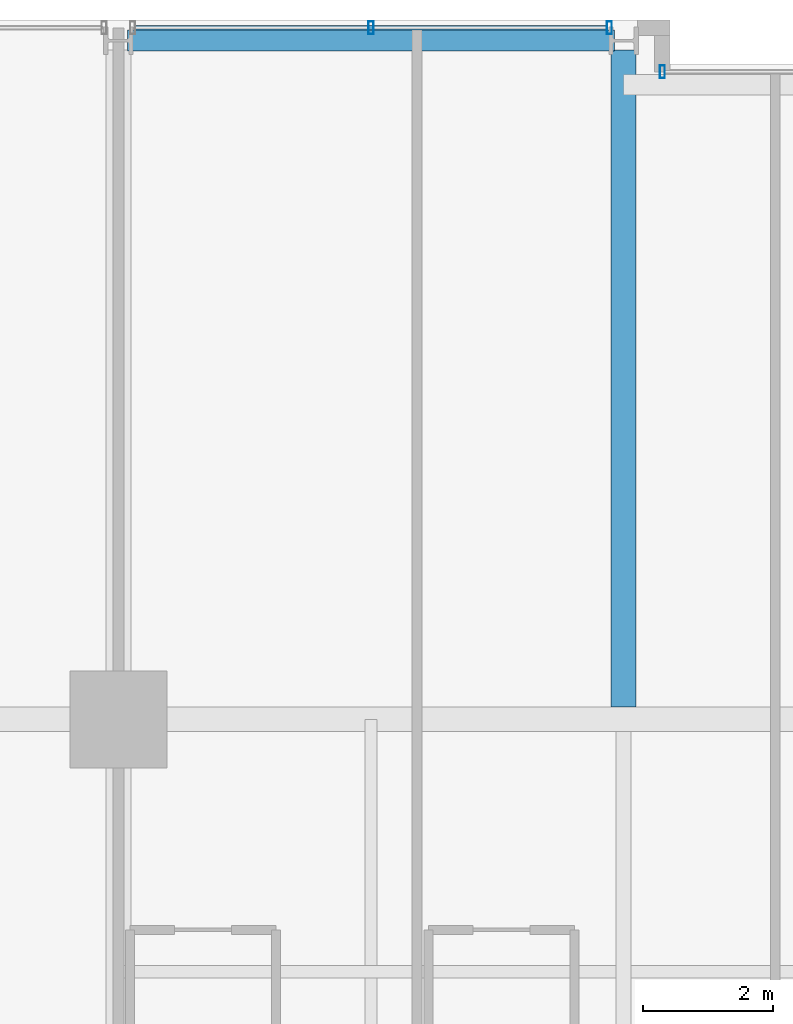
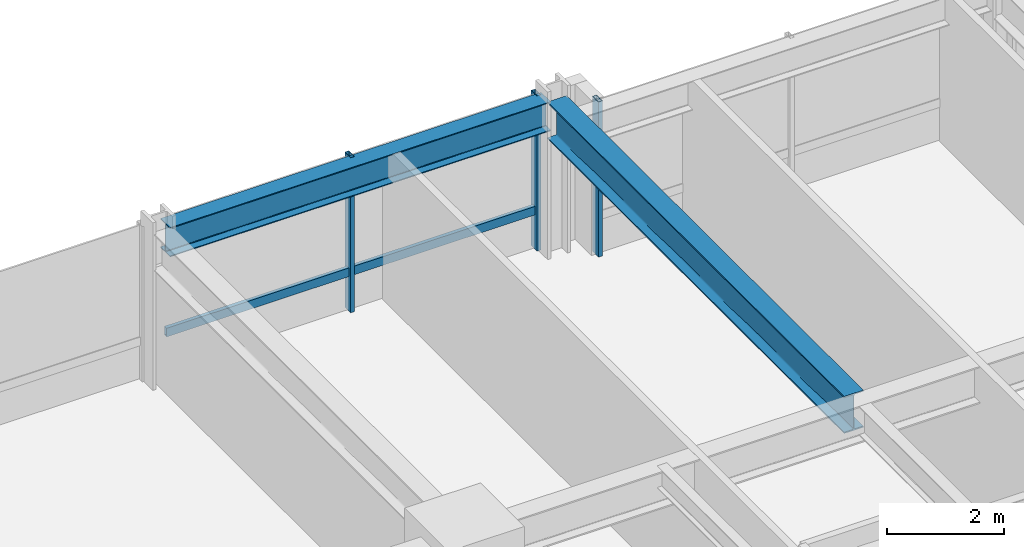
# One storey, part 21 of 35: 4 members, 2 beams, 2 elements without a shape of their own.
"""IFC4 building model written with IfcOpenShell, lengths in metres."""

from ifc_helpers import new_model, si_unit, direction, frame, origin, origin_2d, place, context, subcontext, project, spatial, hollow_rectangle, i_section, extrude, material, layer, layer_set, material_profile, profile_set, type_object, element, aggregate, save


model = new_model("IFC4")

# Units and contexts
model_context = context("Model", 3, precision=1e-05, world=origin(), true_north=direction((0.0, 1.0)))
body_context = subcontext(model_context, "Body", "Model", "MODEL_VIEW")
ifc_project = project(units=[si_unit("LENGTHUNIT", "METRE"), si_unit("AREAUNIT", "SQUARE_METRE"), si_unit("VOLUMEUNIT", "CUBIC_METRE"), si_unit("PLANEANGLEUNIT", "RADIAN"), si_unit("MASSUNIT", "GRAM", prefix="KILO")], contexts=[model_context])

# Site, building, storey
site_placement = place(None, origin())
site = spatial("IfcSite", under=ifc_project, at=site_placement, CompositionType="ELEMENT")
building_placement = place(site_placement, origin())
building = spatial("IfcBuilding", under=site, at=building_placement, Name="Drelvath Grand Hotel", CompositionType="ELEMENT")
storey_placement = place(building_placement, frame((0.0, 0.0, 98.800048828125)))
storey = spatial("IfcBuildingStorey", under=building, at=storey_placement, Name="L24", CompositionType="ELEMENT", Elevation=98.800048828125)

# Curtain wall, members
ifc_material_1 = material(Name="Champagne Bronze Anodised Aluminium Frame", Category="aluminium")
ifc_layer = layer(ifc_material_1, 0.199951171875)
ifc_layer_set = layer_set([ifc_layer], Name="Champagne Bronze Anodised Aluminium Frame")
curtain_wall_type = type_object("IfcCurtainWallType", Name="Stick Curtain Wall CW-03 Champagne Bronze Mid-Rise", PredefinedType="NOTDEFINED", material=ifc_layer_set)
curtain_wall_1_placement = place(storey_placement, origin())
curtain_wall_1 = element("IfcCurtainWall", 1, at=curtain_wall_1_placement, inside=storey, type_object=curtain_wall_type, Name="L24 CW-03 Curtain Wall CW03-L24-NW2", PredefinedType="NOTDEFINED")
ifc_material_profile_1 = material_profile(ifc_material_1, hollow_rectangle(XDim=0.074951171875, YDim=0.179931640625, WallThickness=0.0048828125, at=origin_2d()), Name="HSS180X75X5")
ifc_profile_set_1 = profile_set([ifc_material_profile_1], Name="Champagne Bronze Anodised Aluminium Frame")
member_type_1 = type_object("IfcMemberType", Name="Curtain Wall Horizontal Transom CW-03 HSS180X75X5", PredefinedType="USERDEFINED", material=ifc_profile_set_1)
member_1_placement = place(storey_placement, frame((-15.9404296875, 53.8798828125, 0.81005859375), z_axis=(1.0, 0.0, 0.0), x_axis=(0.0, 1.0, 0.0)))
member_1 = element("IfcMember", 2, at=member_1_placement, type_object=member_type_1, Name="CW03-L24-NW2 Sill Transom", ObjectType="TRANSOM", PredefinedType="USERDEFINED", context=body_context, shape_type="SweptSolid", body=[
    extrude(hollow_rectangle(XDim=0.074951171875, YDim=0.179931640625, WallThickness=0.0048828125, at=origin_2d()), origin(), (0.0, 0.0, 1.0), 7.28076171875),
])
ifc_material_profile_2 = material_profile(ifc_material_1, hollow_rectangle(XDim=0.080078125, YDim=0.199951171875, WallThickness=0.0048828125, at=origin_2d()), Name="HSS200X80X5")
ifc_profile_set_2 = profile_set([ifc_material_profile_2], Name="Champagne Bronze Anodised Aluminium Frame")
member_type_2 = type_object("IfcMemberType", Name="Curtain Wall Vertical Mullion CW-03 HSS200X80X5", PredefinedType="MULLION", material=ifc_profile_set_2)
member_2_placement = place(storey_placement, frame((-12.300048828125, 53.8798828125, 0.0), z_axis=(0.0, 0.0, 1.0), x_axis=(1.0, 0.0, 0.0)))
member_2 = element("IfcMember", 3, at=member_2_placement, type_object=member_type_2, Name="CW03-L24-NW2 Mullion 2", PredefinedType="MULLION", context=body_context, shape_type="SweptSolid", body=[
    extrude(hollow_rectangle(XDim=0.080078125, YDim=0.199951171875, WallThickness=0.0048828125, at=origin_2d()), origin(), (0.0, 0.0, 1.0), 3.239990234375),
])
member_3_placement = place(storey_placement, frame((-8.61962890625, 53.8798828125, 0.0), z_axis=(0.0, 0.0, 1.0), x_axis=(1.0, 0.0, 0.0)))
member_3 = element("IfcMember", 4, at=member_3_placement, type_object=member_type_2, Name="CW03-L24-NW2 Mullion 3", PredefinedType="MULLION", context=body_context, shape_type="SweptSolid", body=[
    extrude(hollow_rectangle(XDim=0.080078125, YDim=0.199951171875, WallThickness=0.0048828125, at=origin_2d()), origin(), (0.0, 0.0, 1.0), 3.239990234375),
])
aggregate(curtain_wall_1, [member_2, member_3, member_1])

# Curtain wall, member
curtain_wall_2_placement = place(storey_placement, origin())
curtain_wall_2 = element("IfcCurtainWall", 5, at=curtain_wall_2_placement, inside=storey, type_object=curtain_wall_type, Name="L24 CW-03 Curtain Wall CW03-L24-NM1", PredefinedType="NOTDEFINED")
member_4_placement = place(storey_placement, frame((-7.800048828125, 53.199951171875, 0.0), z_axis=(0.0, 0.0, 1.0), x_axis=(1.0, 0.0, 0.0)))
member_4 = element("IfcMember", 6, at=member_4_placement, type_object=member_type_2, Name="CW03-L24-NM1 Mullion 1", PredefinedType="MULLION", context=body_context, shape_type="SweptSolid", body=[
    extrude(hollow_rectangle(XDim=0.080078125, YDim=0.199951171875, WallThickness=0.0048828125, at=origin_2d()), origin(), (0.0, 0.0, 1.0), 3.239990234375),
])
aggregate(curtain_wall_2, [member_4])

# Beams
ifc_material_2 = material(Name="Steel ASTM A992 Gr 50", Category="steel")
ifc_material_profile_3 = material_profile(ifc_material_2, i_section(OverallWidth=0.323974609375, OverallDepth=0.611083984375, WebThickness=0.0126953125, FlangeThickness=0.01904296875, FilletRadius=0.02197265625, at=origin_2d()), Name="W24X104")
ifc_profile_set_3 = profile_set([ifc_material_profile_3], Name="Steel ASTM A992 Gr 50")
beam_type_1 = type_object("IfcBeamType", Name="Perimeter Spandrel Beam W24X104", PredefinedType="SPANDREL", material=ifc_profile_set_3)
beam_1_placement = place(storey_placement, frame((-16.06005859375, 53.679931640625, 2.9345703125), z_axis=(1.0, 0.0, 0.0), x_axis=(0.0, 1.0, 0.0)))
element("IfcBeam", 7, at=beam_1_placement, inside=storey, type_object=beam_type_1, Name="L24 Spandrel North W", PredefinedType="SPANDREL", context=body_context, shape_type="SweptSolid", body=[
    extrude(i_section(OverallWidth=0.323974609375, OverallDepth=0.611083984375, WebThickness=0.0126953125, FlangeThickness=0.01904296875, FilletRadius=0.02197265625, at=origin_2d()), origin(), (0.0, 0.0, 1.0), 7.52001953125),
])
ifc_material_profile_4 = material_profile(ifc_material_2, i_section(OverallWidth=0.380615234375, OverallDepth=0.773193359375, WebThickness=0.0166015625, FlangeThickness=0.027099609375, FilletRadius=0.02490234375, at=origin_2d()), Name="W30X173")
ifc_profile_set_4 = profile_set([ifc_material_profile_4], Name="Steel ASTM A992 Gr 50")
beam_type_2 = type_object("IfcBeamType", Name="Primary Floor Girder W30X173", PredefinedType="BEAM", material=ifc_profile_set_4)
beam_2_placement = place(storey_placement, frame((-8.39990234375, 43.390380859375, 2.853271484375), z_axis=(0.0, 1.0, 0.0), x_axis=(-1.0, 0.0, 0.0)))
element("IfcBeam", 8, at=beam_2_placement, inside=storey, type_object=beam_type_2, Name="L24 North Wing Girder 4", PredefinedType="BEAM", context=body_context, shape_type="SweptSolid", body=[
    extrude(i_section(OverallWidth=0.380615234375, OverallDepth=0.773193359375, WebThickness=0.0166015625, FlangeThickness=0.027099609375, FilletRadius=0.02490234375, at=origin_2d()), origin(), (0.0, 0.0, 1.0), 10.149658203125),
])

save(model, "model.ifc")
